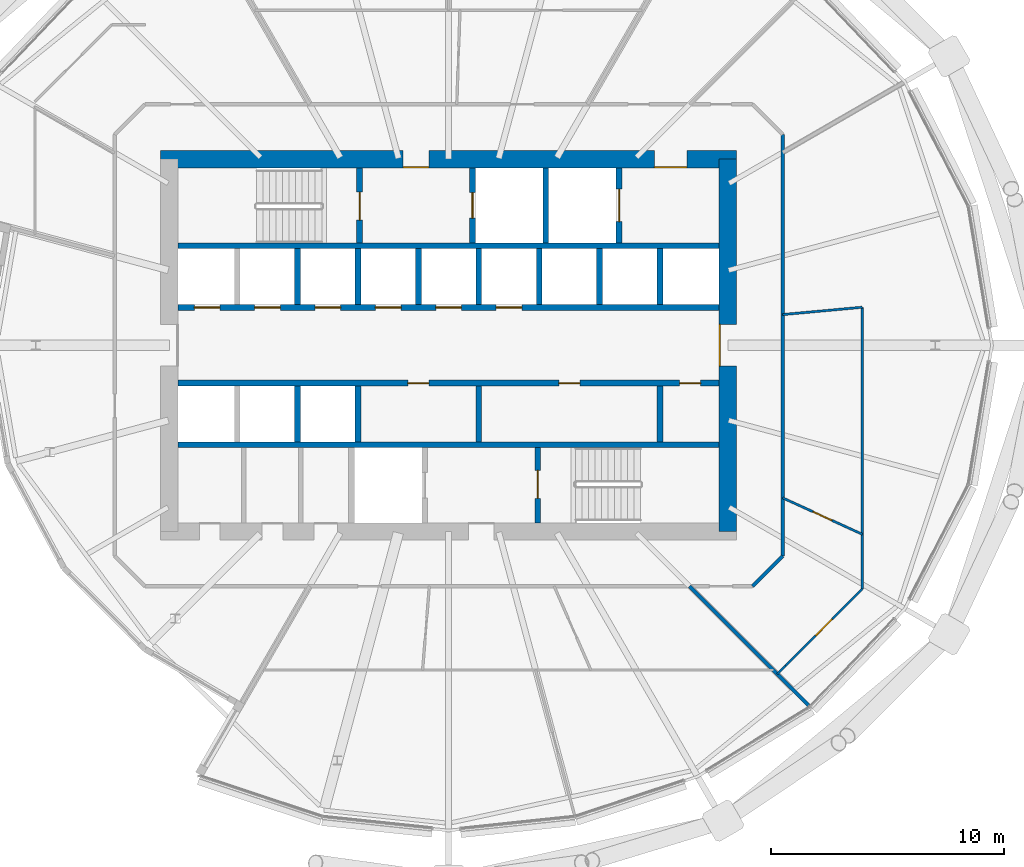
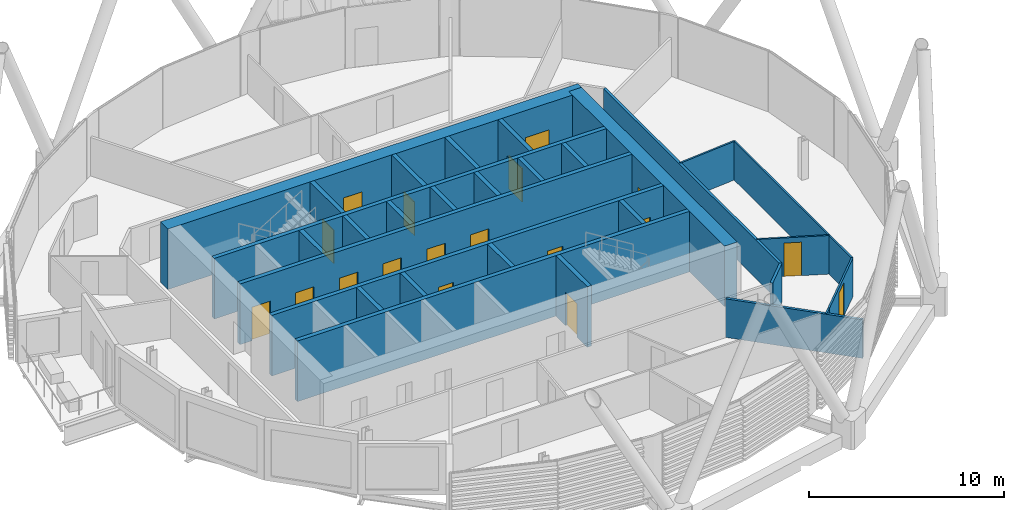
# One storey, part 25 of 38: 30 walls, 18 doors, 18 openings.
"""IFC4 building model written with IfcOpenShell, lengths in metres."""

from ifc_helpers import new_model, si_unit, direction, frame, frame_2d, origin, place, context, subcontext, project, spatial, rectangle, extrude, material, layer, layer_set, type_object, element, fill, save


model = new_model("IFC4")

# Units and contexts
model_context = context("Model", 3, precision=1e-05, world=origin(), true_north=direction((0.0, 1.0)))
body_context = subcontext(model_context, "Body", "Model", "MODEL_VIEW")
ifc_project = project(units=[si_unit("LENGTHUNIT", "METRE"), si_unit("AREAUNIT", "SQUARE_METRE"), si_unit("VOLUMEUNIT", "CUBIC_METRE"), si_unit("PLANEANGLEUNIT", "RADIAN"), si_unit("MASSUNIT", "GRAM", prefix="KILO")], contexts=[model_context])

# Site, building, storey
site_placement = place(None, origin())
site = spatial("IfcSite", under=ifc_project, at=site_placement, CompositionType="ELEMENT")
building_placement = place(site_placement, origin())
building = spatial("IfcBuilding", under=site, at=building_placement, Name="Rimbun Link Towers", CompositionType="ELEMENT")
storey_placement = place(building_placement, frame((0.0, 0.0, 104.39990234375)))
storey = spatial("IfcBuildingStorey", under=building, at=storey_placement, Name="L25", CompositionType="ELEMENT", Elevation=104.39990234375)

# Wall, openings, doors
ifc_material_1 = material(Name="Concrete C60/75", Category="concrete")
ifc_layer_1 = layer(ifc_material_1, 0.75)
ifc_layer_set_1 = layer_set([ifc_layer_1], Name="Core shear wall 750")
wall_type_1 = type_object("IfcWallType", Name="Core shear wall 750", PredefinedType="SHEAR", material=ifc_layer_set_1)
wall_1_placement = place(storey_placement, frame((-44.125, 8.0, 0.0), z_axis=(0.0, 0.0, 1.0), x_axis=(1.0, 0.0, 0.0)))
wall_1 = element("IfcWall", 1, at=wall_1_placement, inside=storey, type_object=wall_type_1, Name="L25 T1 core wall N", PredefinedType="SHEAR", context=body_context, shape_type="SweptSolid", body=[
    extrude(rectangle(XDim=24.75, YDim=0.75, at=frame_2d((12.375, 0.0))), origin(), (0.0, 0.0, 1.0), 3.800048828125),
])
opening_1_placement = place(wall_1_placement, frame((10.425048828125, 0.0, 0.0)))
opening_1 = element("IfcOpeningElement", 2, at=opening_1_placement, cuts=wall_1, Name="Opening C1DCF01N", PredefinedType="OPENING", context=body_context, shape_type="SweptSolid", body=[
    extrude(rectangle(XDim=1.10009765625, YDim=2.10009765625, at=frame_2d((0.550048828125, 1.050048828125))), frame((0.0, 0.385009765625, 0.0), z_axis=(0.0, -1.0, 0.0), x_axis=(1.0, 0.0, 0.0)), (0.0, 0.0, 1.0), 0.77001953125),
])
opening_2_placement = place(wall_1_placement, frame((21.21240234375, 0.0, 0.0)))
opening_2 = element("IfcOpeningElement", 3, at=opening_2_placement, cuts=wall_1, Name="Opening C1DSL02N", PredefinedType="OPENING", context=body_context, shape_type="SweptSolid", body=[
    extrude(rectangle(XDim=1.39990234375, YDim=2.10009765625, at=frame_2d((0.699951171875, 1.050048828125))), frame((0.0, 0.385009765625, 0.0), z_axis=(0.0, -1.0, 0.0), x_axis=(1.0, 0.0, 0.0)), (0.0, 0.0, 1.0), 0.77001953125),
])
ifc_material_2 = material(Name="Steel fire door set", Category="steel")
door_type_1 = type_object("IfcDoorType", Name="Core fire door single", OperationType="SINGLE_SWING_LEFT", PredefinedType="DOOR", material=ifc_material_2)
door_1_placement = place(opening_1_placement, origin())
door_1 = element("IfcDoor", 4, at=door_1_placement, inside=storey, type_object=door_type_1, Name="L25 T1 firefighting lobby n door", OperationType="SINGLE_SWING_RIGHT", OverallHeight=2.10009765625, OverallWidth=1.10009765625, PredefinedType="DOOR", context=body_context, shape_type="SweptSolid", body=[
    extrude(rectangle(XDim=1.10009765625, YDim=2.10009765625, at=frame_2d((0.550048828125, 1.050048828125))), frame((0.0, -0.3251953125, 0.0), z_axis=(0.0, -1.0, 0.0), x_axis=(1.0, 0.0, 0.0)), (0.0, 0.0, 1.0), 0.050048828125),
])
fill(opening_1, door_1)
ifc_material_3 = material(Name="Steel fire door set", Category="steel")
door_type_2 = type_object("IfcDoorType", Name="Service lobby door double", OperationType="DOUBLE_DOOR_SINGLE_SWING", PredefinedType="DOOR", material=ifc_material_3)
door_2_placement = place(opening_2_placement, origin())
door_2 = element("IfcDoor", 5, at=door_2_placement, inside=storey, type_object=door_type_2, Name="L25 T1 service lobby door", OperationType="DOUBLE_DOOR_SINGLE_SWING", OverallHeight=2.10009765625, OverallWidth=1.39990234375, PredefinedType="DOOR", context=body_context, shape_type="SweptSolid", body=[
    extrude(rectangle(XDim=1.39990234375, YDim=2.10009765625, at=frame_2d((0.699951171875, 1.050048828125))), frame((0.0, -0.3251953125, 0.0), z_axis=(0.0, -1.0, 0.0), x_axis=(1.0, 0.0, 0.0)), (0.0, 0.0, 1.0), 0.050048828125),
])
fill(opening_2, door_2)

# Wall, opening, door
wall_2_placement = place(storey_placement, frame((-19.75, -8.0, 0.0), z_axis=(0.0, 0.0, 1.0), x_axis=(0.0, 1.0, 0.0)))
wall_2 = element("IfcWall", 6, at=wall_2_placement, inside=storey, type_object=wall_type_1, Name="L25 T1 core wall E", PredefinedType="SHEAR", context=body_context, shape_type="SweptSolid", body=[
    extrude(rectangle(XDim=16.0, YDim=0.75, at=frame_2d((8.0, 0.0))), origin(), (0.0, 0.0, 1.0), 3.800048828125),
])
opening_3_placement = place(wall_2_placement, frame((7.10009765625, 0.0, 0.0)))
opening_3 = element("IfcOpeningElement", 7, at=opening_3_placement, cuts=wall_2, Name="Opening C1DCL01E", PredefinedType="OPENING", context=body_context, shape_type="SweptSolid", body=[
    extrude(rectangle(XDim=1.800048828125, YDim=2.10009765625, at=frame_2d((0.89990234375, 1.050048828125))), frame((0.0, 0.385009765625, 0.0), z_axis=(0.0, -1.0, 0.0), x_axis=(1.0, 0.0, 0.0)), (0.0, 0.0, 1.0), 0.77001953125),
])
ifc_material_4 = material(Name="Steel fire door set", Category="steel")
door_type_3 = type_object("IfcDoorType", Name="Core lobby door double", OperationType="DOUBLE_DOOR_SINGLE_SWING", PredefinedType="DOOR", material=ifc_material_4)
door_3_placement = place(opening_3_placement, origin())
door_3 = element("IfcDoor", 8, at=door_3_placement, inside=storey, type_object=door_type_3, Name="L25 T1 lift lobby door", OperationType="DOUBLE_DOOR_SINGLE_SWING", OverallHeight=2.10009765625, OverallWidth=1.800048828125, PredefinedType="DOOR", context=body_context, shape_type="SweptSolid", body=[
    extrude(rectangle(XDim=1.800048828125, YDim=2.10009765625, at=frame_2d((0.89990234375, 1.050048828125))), frame((0.0, 0.375, 0.0), z_axis=(0.0, -1.0, 0.0), x_axis=(1.0, 0.0, 0.0)), (0.0, 0.0, 1.0), 0.050048828125),
])
fill(opening_3, door_3)

# Walls
ifc_material_5 = material(Name="Plasterboard on steel stud, mineral wool", Category="steel")
ifc_layer_2 = layer(ifc_material_5, 0.14990234375)
ifc_layer_set_2 = layer_set([ifc_layer_2], Name="Corridor wall EI 30 150 mm")
wall_type_2 = type_object("IfcWallType", Name="Corridor wall EI 30 150 mm", PredefinedType="PARTITIONING", material=ifc_layer_set_2)
wall_3_placement = place(storey_placement, frame((-17.39990234375, -9.0517578125, 0.0), z_axis=(0.0, 0.0, 1.0), x_axis=(0.0, 1.0, 0.0)))
element("IfcWall", 9, at=wall_3_placement, inside=storey, type_object=wall_type_2, Name="Corridor wall EI 30 150 mm", PredefinedType="PARTITIONING", context=body_context, shape_type="SweptSolid", body=[
    extrude(rectangle(XDim=18.103515625, YDim=0.14990234375, at=frame_2d((9.0517578125, 0.0))), origin(), (0.0, 0.0, 1.0), 2.420166015625),
])
wall_4_placement = place(storey_placement, frame((-18.6982421875, -10.35009765625, 0.0), z_axis=(0.0, 0.0, 1.0), x_axis=(0.707106781187, 0.707106781187, 0.0)))
element("IfcWall", 10, at=wall_4_placement, inside=storey, type_object=wall_type_2, Name="Corridor wall EI 30 150 mm", PredefinedType="PARTITIONING", context=body_context, shape_type="SweptSolid", body=[
    extrude(rectangle(XDim=1.836181640625, YDim=0.14990234375, at=frame_2d((0.91796875, 0.0))), origin(), (0.0, 0.0, 1.0), 2.420166015625),
])

# Wall, opening, door
ifc_material_6 = material(Name="Plasterboard on steel stud", Category="steel")
ifc_layer_3 = layer(ifc_material_6, 0.10009765625)
ifc_layer_set_3 = layer_set([ifc_layer_3], Name="Plasterboard partition 100 mm")
wall_type_3 = type_object("IfcWallType", Name="Plasterboard partition 100 mm", PredefinedType="PARTITIONING", material=ifc_layer_set_3)
wall_5_placement = place(storey_placement, frame((-17.39990234375, -6.555908203125, 0.0), z_axis=(0.0, 0.0, 1.0), x_axis=(0.909564245238, -0.415563333061, 0.0)))
wall_5 = element("IfcWall", 11, at=wall_5_placement, inside=storey, type_object=wall_type_3, Name="Plasterboard partition 100 mm", PredefinedType="PARTITIONING", context=body_context, shape_type="SweptSolid", body=[
    extrude(rectangle(XDim=3.760009765625, YDim=0.10009765625, at=frame_2d((1.8798828125, 0.0))), origin(), (0.0, 0.0, 1.0), 2.420166015625),
])
opening_4_placement = place(wall_5_placement, frame((1.429931640625, 0.0, 0.0)))
opening_4 = element("IfcOpeningElement", 12, at=opening_4_placement, cuts=wall_5, Name="Opening D04", PredefinedType="OPENING", context=body_context, shape_type="SweptSolid", body=[
    extrude(rectangle(XDim=0.89990234375, YDim=2.10009765625, at=frame_2d((0.449951171875, 1.050048828125))), frame((0.0, 0.06005859375, 0.0), z_axis=(0.0, -1.0, 0.0), x_axis=(1.0, 0.0, 0.0)), (0.0, 0.0, 1.0), 0.1201171875),
])
ifc_material_7 = material(Name="Timber door leaf", Category="wood")
door_type_4 = type_object("IfcDoorType", Name="Flush door 900", OperationType="NOTDEFINED", PredefinedType="DOOR", material=ifc_material_7)
door_4_placement = place(opening_4_placement, origin())
door_4 = element("IfcDoor", 13, at=door_4_placement, inside=storey, type_object=door_type_4, Name="Flush door 900 to Meeting room", OperationType="SINGLE_SWING_LEFT", OverallHeight=2.10009765625, OverallWidth=0.89990234375, PredefinedType="DOOR", context=body_context, shape_type="SweptSolid", body=[
    extrude(rectangle(XDim=0.89990234375, YDim=2.10009765625, at=frame_2d((0.449951171875, 1.050048828125))), frame((0.0, 0.02490234375, 0.0), z_axis=(0.0, -1.0, 0.0), x_axis=(1.0, 0.0, 0.0)), (0.0, 0.0, 1.0), 0.050048828125),
])
fill(opening_4, door_4)

wall_6_placement = place(storey_placement, frame((-13.97998046875, -10.46826171875, 0.0), z_axis=(0.0, 0.0, 1.0), x_axis=(-0.707106781187, -0.707106781187, 0.0)))
wall_6 = element("IfcWall", 14, at=wall_6_placement, inside=storey, type_object=wall_type_3, Name="Plasterboard partition 100 mm", PredefinedType="PARTITIONING", context=body_context, shape_type="SweptSolid", body=[
    extrude(rectangle(XDim=4.66943359375, YDim=0.10009765625, at=frame_2d((2.334716796875, 0.0))), origin(), (0.0, 0.0, 1.0), 2.420166015625),
])
opening_5_placement = place(wall_6_placement, frame((1.834716796875, 0.0, 0.0)))
opening_5 = element("IfcOpeningElement", 15, at=opening_5_placement, cuts=wall_6, Name="Opening D03", PredefinedType="OPENING", context=body_context, shape_type="SweptSolid", body=[
    extrude(rectangle(XDim=1.0, YDim=2.10009765625, at=frame_2d((0.5, 1.050048828125))), frame((0.0, 0.06005859375, 0.0), z_axis=(0.0, -1.0, 0.0), x_axis=(1.0, 0.0, 0.0)), (0.0, 0.0, 1.0), 0.1201171875),
])
ifc_material_8 = material(Name="Timber door leaf", Category="wood")
door_type_5 = type_object("IfcDoorType", Name="Flush door 1000", OperationType="NOTDEFINED", PredefinedType="DOOR", material=ifc_material_8)
door_5_placement = place(opening_5_placement, origin())
door_5 = element("IfcDoor", 16, at=door_5_placement, inside=storey, type_object=door_type_5, Name="Flush door 1000 to Open office", OperationType="SINGLE_SWING_RIGHT", OverallHeight=2.10009765625, OverallWidth=1.0, PredefinedType="DOOR", context=body_context, shape_type="SweptSolid", body=[
    extrude(rectangle(XDim=1.0, YDim=2.10009765625, at=frame_2d((0.5, 1.050048828125))), frame((0.0, 0.02490234375, 0.0), z_axis=(0.0, -1.0, 0.0), x_axis=(1.0, 0.0, 0.0)), (0.0, 0.0, 1.0), 0.050048828125),
])
fill(opening_5, door_5)

# Walls
wall_7_placement = place(storey_placement, frame((-13.97998046875, -10.46826171875, 0.0), z_axis=(0.0, 0.0, 1.0), x_axis=(0.0, 1.0, 0.0)))
element("IfcWall", 17, at=wall_7_placement, inside=storey, type_object=wall_type_3, Name="Plasterboard partition 100 mm", PredefinedType="PARTITIONING", context=body_context, shape_type="SweptSolid", body=[
    extrude(rectangle(XDim=12.101806640625, YDim=0.10009765625, at=frame_2d((6.05078125, 0.0))), origin(), (0.0, 0.0, 1.0), 2.420166015625),
])
wall_8_placement = place(storey_placement, frame((-17.630859375, -14.119140625, 0.0), z_axis=(0.0, 0.0, 1.0), x_axis=(0.707106781187, 0.707106781187, 0.0)))
element("IfcWall", 18, at=wall_8_placement, inside=storey, type_object=wall_type_3, Name="Plasterboard partition 100 mm", PredefinedType="PARTITIONING", context=body_context, shape_type="SweptSolid", body=[
    extrude(rectangle(XDim=0.49365234375, YDim=0.10009765625, at=frame_2d((0.246826171875, 0.0))), origin(), (0.0, 0.0, 1.0), 2.420166015625),
])
wall_9_placement = place(storey_placement, frame((-13.97998046875, 1.633544921875, 0.0), z_axis=(0.0, 0.0, 1.0), x_axis=(-0.995799448396, -0.09156122855, 0.0)))
element("IfcWall", 19, at=wall_9_placement, inside=storey, type_object=wall_type_3, Name="Plasterboard partition 100 mm", PredefinedType="PARTITIONING", context=body_context, shape_type="SweptSolid", body=[
    extrude(rectangle(XDim=3.434326171875, YDim=0.10009765625, at=frame_2d((1.71728515625, 0.0))), origin(), (0.0, 0.0, 1.0), 2.420166015625),
])
ifc_material_9 = material(Name="Concrete C60/75", Category="concrete")
ifc_layer_4 = layer(ifc_material_9, 0.25)
ifc_layer_set_4 = layer_set([ifc_layer_4], Name="Shaft wall 250")
wall_type_4 = type_object("IfcWallType", Name="Shaft wall 250", PredefinedType="SHEAR", material=ifc_layer_set_4)
for number, where, z_axis, x_axis, name in (
    (20, (-43.375, 4.27490234375, 0.0), (0.0, 0.0, 1.0), (1.0, 0.0, 0.0), "L25 T1 core wall BN"),
    (21, (-43.375, -4.27490234375, 0.0), (0.0, 0.0, 1.0), (1.0, 0.0, 0.0), "L25 T1 core wall BS"),
):
    element("IfcWall", number, at=place(storey_placement, frame(where, z_axis=z_axis, x_axis=x_axis)), inside=storey, type_object=wall_type_4, Name=name, PredefinedType="SHEAR", context=body_context, shape_type="SweptSolid", body=[
        extrude(rectangle(XDim=23.25, YDim=0.25, at=frame_2d((11.625, 0.0))), origin(), (0.0, 0.0, 1.0), 3.800048828125),
    ])

# Wall, openings, doors
wall_10_placement = place(storey_placement, frame((-43.375, 1.625, 0.0), z_axis=(0.0, 0.0, 1.0), x_axis=(1.0, 0.0, 0.0)))
wall_10 = element("IfcWall", 22, at=wall_10_placement, inside=storey, type_object=wall_type_4, Name="L25 T1 core wall FN", PredefinedType="SHEAR", context=body_context, shape_type="SweptSolid", body=[
    extrude(rectangle(XDim=23.25, YDim=0.25, at=frame_2d((11.625, 0.0))), origin(), (0.0, 0.0, 1.0), 3.800048828125),
])
opening_6_placement = place(wall_10_placement, frame((0.697265625, 0.0, 0.0)))
opening_6 = element("IfcOpeningElement", 23, at=opening_6_placement, cuts=wall_10, Name="Opening LD-T1-LR1", PredefinedType="OPENING", context=body_context, shape_type="SweptSolid", body=[
    extrude(rectangle(XDim=1.10009765625, YDim=2.10009765625, at=frame_2d((0.550048828125, 1.050048828125))), frame((0.0, 0.135009765625, 0.0), z_axis=(0.0, -1.0, 0.0), x_axis=(1.0, 0.0, 0.0)), (0.0, 0.0, 1.0), 0.27001953125),
])
opening_7_placement = place(wall_10_placement, frame((3.291748046875, 0.0, 0.0)))
opening_7 = element("IfcOpeningElement", 24, at=opening_7_placement, cuts=wall_10, Name="Opening LD-T1-LR2", PredefinedType="OPENING", context=body_context, shape_type="SweptSolid", body=[
    extrude(rectangle(XDim=1.10009765625, YDim=2.10009765625, at=frame_2d((0.550048828125, 1.050048828125))), frame((0.0, 0.135009765625, 0.0), z_axis=(0.0, -1.0, 0.0), x_axis=(1.0, 0.0, 0.0)), (0.0, 0.0, 1.0), 0.27001953125),
])
opening_8_placement = place(wall_10_placement, frame((5.885986328125, 0.0, 0.0)))
opening_8 = element("IfcOpeningElement", 25, at=opening_8_placement, cuts=wall_10, Name="Opening LD-T1-LR3", PredefinedType="OPENING", context=body_context, shape_type="SweptSolid", body=[
    extrude(rectangle(XDim=1.10009765625, YDim=2.10009765625, at=frame_2d((0.550048828125, 1.050048828125))), frame((0.0, 0.135009765625, 0.0), z_axis=(0.0, -1.0, 0.0), x_axis=(1.0, 0.0, 0.0)), (0.0, 0.0, 1.0), 0.27001953125),
])
opening_9_placement = place(wall_10_placement, frame((8.480712890625, 0.0, 0.0)))
opening_9 = element("IfcOpeningElement", 26, at=opening_9_placement, cuts=wall_10, Name="Opening LD-T1-LR4", PredefinedType="OPENING", context=body_context, shape_type="SweptSolid", body=[
    extrude(rectangle(XDim=1.10009765625, YDim=2.10009765625, at=frame_2d((0.550048828125, 1.050048828125))), frame((0.0, 0.135009765625, 0.0), z_axis=(0.0, -1.0, 0.0), x_axis=(1.0, 0.0, 0.0)), (0.0, 0.0, 1.0), 0.27001953125),
])
opening_10_placement = place(wall_10_placement, frame((11.074951171875, 0.0, 0.0)))
opening_10 = element("IfcOpeningElement", 27, at=opening_10_placement, cuts=wall_10, Name="Opening LD-T1-LR5", PredefinedType="OPENING", context=body_context, shape_type="SweptSolid", body=[
    extrude(rectangle(XDim=1.10009765625, YDim=2.10009765625, at=frame_2d((0.550048828125, 1.050048828125))), frame((0.0, 0.135009765625, 0.0), z_axis=(0.0, -1.0, 0.0), x_axis=(1.0, 0.0, 0.0)), (0.0, 0.0, 1.0), 0.27001953125),
])
opening_11_placement = place(wall_10_placement, frame((13.66943359375, 0.0, 0.0)))
opening_11 = element("IfcOpeningElement", 28, at=opening_11_placement, cuts=wall_10, Name="Opening LD-T1-LR6", PredefinedType="OPENING", context=body_context, shape_type="SweptSolid", body=[
    extrude(rectangle(XDim=1.10009765625, YDim=2.10009765625, at=frame_2d((0.550048828125, 1.050048828125))), frame((0.0, 0.135009765625, 0.0), z_axis=(0.0, -1.0, 0.0), x_axis=(1.0, 0.0, 0.0)), (0.0, 0.0, 1.0), 0.27001953125),
])
ifc_material_10 = material(Name="Stainless steel grade 316", Category="steel")
door_type_6 = type_object("IfcDoorType", Name="Lift landing door", OperationType="DOUBLE_DOOR_SLIDING", PredefinedType="DOOR", material=ifc_material_10)
door_6_placement = place(opening_6_placement, origin())
door_6 = element("IfcDoor", 29, at=door_6_placement, inside=storey, type_object=door_type_6, Name="L25 T1 lift LR1 landing door", OperationType="DOUBLE_DOOR_SLIDING", OverallHeight=2.10009765625, OverallWidth=1.10009765625, PredefinedType="DOOR", context=body_context, shape_type="SweptSolid", body=[
    extrude(rectangle(XDim=1.10009765625, YDim=2.10009765625, at=frame_2d((0.550048828125, 1.050048828125))), frame((0.0, 0.02490234375, 0.0), z_axis=(0.0, -1.0, 0.0), x_axis=(1.0, 0.0, 0.0)), (0.0, 0.0, 1.0), 0.050048828125),
])
fill(opening_6, door_6)
door_7_placement = place(opening_7_placement, origin())
door_7 = element("IfcDoor", 30, at=door_7_placement, inside=storey, type_object=door_type_6, Name="L25 T1 lift LR2 landing door", OperationType="DOUBLE_DOOR_SLIDING", OverallHeight=2.10009765625, OverallWidth=1.10009765625, PredefinedType="DOOR", context=body_context, shape_type="SweptSolid", body=[
    extrude(rectangle(XDim=1.10009765625, YDim=2.10009765625, at=frame_2d((0.550048828125, 1.050048828125))), frame((0.0, 0.02490234375, 0.0), z_axis=(0.0, -1.0, 0.0), x_axis=(1.0, 0.0, 0.0)), (0.0, 0.0, 1.0), 0.050048828125),
])
fill(opening_7, door_7)
door_8_placement = place(opening_8_placement, origin())
door_8 = element("IfcDoor", 31, at=door_8_placement, inside=storey, type_object=door_type_6, Name="L25 T1 lift LR3 landing door", OperationType="DOUBLE_DOOR_SLIDING", OverallHeight=2.10009765625, OverallWidth=1.10009765625, PredefinedType="DOOR", context=body_context, shape_type="SweptSolid", body=[
    extrude(rectangle(XDim=1.10009765625, YDim=2.10009765625, at=frame_2d((0.550048828125, 1.050048828125))), frame((0.0, 0.02490234375, 0.0), z_axis=(0.0, -1.0, 0.0), x_axis=(1.0, 0.0, 0.0)), (0.0, 0.0, 1.0), 0.050048828125),
])
fill(opening_8, door_8)
door_9_placement = place(opening_9_placement, origin())
door_9 = element("IfcDoor", 32, at=door_9_placement, inside=storey, type_object=door_type_6, Name="L25 T1 lift LR4 landing door", OperationType="DOUBLE_DOOR_SLIDING", OverallHeight=2.10009765625, OverallWidth=1.10009765625, PredefinedType="DOOR", context=body_context, shape_type="SweptSolid", body=[
    extrude(rectangle(XDim=1.10009765625, YDim=2.10009765625, at=frame_2d((0.550048828125, 1.050048828125))), frame((0.0, 0.02490234375, 0.0), z_axis=(0.0, -1.0, 0.0), x_axis=(1.0, 0.0, 0.0)), (0.0, 0.0, 1.0), 0.050048828125),
])
fill(opening_9, door_9)
door_10_placement = place(opening_10_placement, origin())
door_10 = element("IfcDoor", 33, at=door_10_placement, inside=storey, type_object=door_type_6, Name="L25 T1 lift LR5 landing door", OperationType="DOUBLE_DOOR_SLIDING", OverallHeight=2.10009765625, OverallWidth=1.10009765625, PredefinedType="DOOR", context=body_context, shape_type="SweptSolid", body=[
    extrude(rectangle(XDim=1.10009765625, YDim=2.10009765625, at=frame_2d((0.550048828125, 1.050048828125))), frame((0.0, 0.02490234375, 0.0), z_axis=(0.0, -1.0, 0.0), x_axis=(1.0, 0.0, 0.0)), (0.0, 0.0, 1.0), 0.050048828125),
])
fill(opening_10, door_10)
door_11_placement = place(opening_11_placement, origin())
door_11 = element("IfcDoor", 34, at=door_11_placement, inside=storey, type_object=door_type_6, Name="L25 T1 lift LR6 landing door", OperationType="DOUBLE_DOOR_SLIDING", OverallHeight=2.10009765625, OverallWidth=1.10009765625, PredefinedType="DOOR", context=body_context, shape_type="SweptSolid", body=[
    extrude(rectangle(XDim=1.10009765625, YDim=2.10009765625, at=frame_2d((0.550048828125, 1.050048828125))), frame((0.0, 0.02490234375, 0.0), z_axis=(0.0, -1.0, 0.0), x_axis=(1.0, 0.0, 0.0)), (0.0, 0.0, 1.0), 0.050048828125),
])
fill(opening_11, door_11)

wall_11_placement = place(storey_placement, frame((-43.375, -1.625, 0.0), z_axis=(0.0, 0.0, 1.0), x_axis=(1.0, 0.0, 0.0)))
wall_11 = element("IfcWall", 35, at=wall_11_placement, inside=storey, type_object=wall_type_4, Name="L25 T1 core wall FS", PredefinedType="SHEAR", context=body_context, shape_type="SweptSolid", body=[
    extrude(rectangle(XDim=23.25, YDim=0.25, at=frame_2d((11.625, 0.0))), origin(), (0.0, 0.0, 1.0), 3.800048828125),
])
opening_12_placement = place(wall_11_placement, frame((9.877685546875, 0.0, 0.0)))
opening_12 = element("IfcOpeningElement", 36, at=opening_12_placement, cuts=wall_11, Name="Opening C1DRS01FS", PredefinedType="OPENING", context=body_context, shape_type="SweptSolid", body=[
    extrude(rectangle(XDim=0.89990234375, YDim=2.10009765625, at=frame_2d((0.449951171875, 1.050048828125))), frame((0.0, 0.135009765625, 0.0), z_axis=(0.0, -1.0, 0.0), x_axis=(1.0, 0.0, 0.0)), (0.0, 0.0, 1.0), 0.27001953125),
])
opening_13_placement = place(wall_11_placement, frame((16.364013671875, 0.0, 0.0)))
opening_13 = element("IfcOpeningElement", 37, at=opening_13_placement, cuts=wall_11, Name="Opening C1DRS02FS", PredefinedType="OPENING", context=body_context, shape_type="SweptSolid", body=[
    extrude(rectangle(XDim=0.89990234375, YDim=2.10009765625, at=frame_2d((0.449951171875, 1.050048828125))), frame((0.0, 0.135009765625, 0.0), z_axis=(0.0, -1.0, 0.0), x_axis=(1.0, 0.0, 0.0)), (0.0, 0.0, 1.0), 0.27001953125),
])
opening_14_placement = place(wall_11_placement, frame((21.552734375, 0.0, 0.0)))
opening_14 = element("IfcOpeningElement", 38, at=opening_14_placement, cuts=wall_11, Name="Opening C1DRS03FS", PredefinedType="OPENING", context=body_context, shape_type="SweptSolid", body=[
    extrude(rectangle(XDim=0.89990234375, YDim=2.10009765625, at=frame_2d((0.449951171875, 1.050048828125))), frame((0.0, 0.135009765625, 0.0), z_axis=(0.0, -1.0, 0.0), x_axis=(1.0, 0.0, 0.0)), (0.0, 0.0, 1.0), 0.27001953125),
])
ifc_material_11 = material(Name="Steel fire door set", Category="steel")
door_type_7 = type_object("IfcDoorType", Name="Core riser door", OperationType="SINGLE_SWING_LEFT", PredefinedType="DOOR", material=ifc_material_11)
door_12_placement = place(opening_12_placement, origin())
door_12 = element("IfcDoor", 39, at=door_12_placement, inside=storey, type_object=door_type_7, Name="L25 T1 pantry door", OperationType="SINGLE_SWING_LEFT", OverallHeight=2.10009765625, OverallWidth=0.89990234375, PredefinedType="DOOR", context=body_context, shape_type="SweptSolid", body=[
    extrude(rectangle(XDim=0.89990234375, YDim=2.10009765625, at=frame_2d((0.449951171875, 1.050048828125))), frame((0.0, 0.02490234375, 0.0), z_axis=(0.0, -1.0, 0.0), x_axis=(1.0, 0.0, 0.0)), (0.0, 0.0, 1.0), 0.050048828125),
])
fill(opening_12, door_12)
door_13_placement = place(opening_13_placement, origin())
door_13 = element("IfcDoor", 40, at=door_13_placement, inside=storey, type_object=door_type_7, Name="L25 T1 wellness room door", OperationType="SINGLE_SWING_RIGHT", OverallHeight=2.10009765625, OverallWidth=0.89990234375, PredefinedType="DOOR", context=body_context, shape_type="SweptSolid", body=[
    extrude(rectangle(XDim=0.89990234375, YDim=2.10009765625, at=frame_2d((0.449951171875, 1.050048828125))), frame((0.0, 0.02490234375, 0.0), z_axis=(0.0, -1.0, 0.0), x_axis=(1.0, 0.0, 0.0)), (0.0, 0.0, 1.0), 0.050048828125),
])
fill(opening_13, door_13)
door_14_placement = place(opening_14_placement, origin())
door_14 = element("IfcDoor", 41, at=door_14_placement, inside=storey, type_object=door_type_7, Name="L25 T1 staff store door", OperationType="SINGLE_SWING_LEFT", OverallHeight=2.10009765625, OverallWidth=0.89990234375, PredefinedType="DOOR", context=body_context, shape_type="SweptSolid", body=[
    extrude(rectangle(XDim=0.89990234375, YDim=2.10009765625, at=frame_2d((0.449951171875, 1.050048828125))), frame((0.0, 0.02490234375, 0.0), z_axis=(0.0, -1.0, 0.0), x_axis=(1.0, 0.0, 0.0)), (0.0, 0.0, 1.0), 0.050048828125),
])
fill(opening_14, door_14)

# Walls
for number, where, z_axis, x_axis, name in (
    (42, (-38.236083984375, 1.75, 0.0), (0.0, 0.0, 1.0), (0.0, 1.0, 0.0), "L25 T1 core wall DN1"),
    (43, (-35.6416015625, 1.75, 0.0), (0.0, 0.0, 1.0), (0.0, 1.0, 0.0), "L25 T1 core wall DN2"),
    (44, (-33.047119140625, 1.75, 0.0), (0.0, 0.0, 1.0), (0.0, 1.0, 0.0), "L25 T1 core wall DN3"),
    (45, (-30.452880859375, 1.75, 0.0), (0.0, 0.0, 1.0), (0.0, 1.0, 0.0), "L25 T1 core wall DN4"),
    (46, (-27.8583984375, 1.75, 0.0), (0.0, 0.0, 1.0), (0.0, 1.0, 0.0), "L25 T1 core wall DN5"),
    (47, (-25.263916015625, 1.75, 0.0), (0.0, 0.0, 1.0), (0.0, 1.0, 0.0), "L25 T1 core wall DN6"),
    (48, (-22.66943359375, 1.75, 0.0), (0.0, 0.0, 1.0), (0.0, 1.0, 0.0), "L25 T1 core wall DN7"),
    (49, (-38.236083984375, -4.14990234375, 0.0), (0.0, 0.0, 1.0), (0.0, 1.0, 0.0), "L25 T1 core wall DS1"),
    (50, (-35.6416015625, -4.14990234375, 0.0), (0.0, 0.0, 1.0), (0.0, 1.0, 0.0), "L25 T1 core wall DS2"),
    (51, (-30.452880859375, -4.14990234375, 0.0), (0.0, 0.0, 1.0), (0.0, 1.0, 0.0), "L25 T1 core wall DS4"),
    (52, (-22.66943359375, -4.14990234375, 0.0), (0.0, 0.0, 1.0), (0.0, 1.0, 0.0), "L25 T1 core wall DS7"),
):
    element("IfcWall", number, at=place(storey_placement, frame(where, z_axis=z_axis, x_axis=x_axis)), inside=storey, type_object=wall_type_4, Name=name, PredefinedType="SHEAR", context=body_context, shape_type="SweptSolid", body=[
        extrude(rectangle(XDim=2.39990234375, YDim=0.25, at=frame_2d((1.199951171875, 0.0))), origin(), (0.0, 0.0, 1.0), 3.800048828125),
    ])

# Wall, opening, door
wall_12_placement = place(storey_placement, frame((-35.574951171875, 4.39990234375, 0.0), z_axis=(0.0, 0.0, 1.0), x_axis=(0.0, 1.0, 0.0)))
wall_12 = element("IfcWall", 53, at=wall_12_placement, inside=storey, type_object=wall_type_4, Name="L25 T1 core wall A1", PredefinedType="SHEAR", context=body_context, shape_type="SweptSolid", body=[
    extrude(rectangle(XDim=3.22509765625, YDim=0.25, at=frame_2d((1.612548828125, 0.0))), origin(), (0.0, 0.0, 1.0), 3.800048828125),
])
opening_15_placement = place(wall_12_placement, frame((0.97509765625, 0.0, 0.0)))
opening_15 = element("IfcOpeningElement", 54, at=opening_15_placement, cuts=wall_12, Name="Opening C1DST01A1", PredefinedType="OPENING", context=body_context, shape_type="SweptSolid", body=[
    extrude(rectangle(XDim=1.199951171875, YDim=2.10009765625, at=frame_2d((0.60009765625, 1.050048828125))), frame((0.0, 0.135009765625, 0.0), z_axis=(0.0, -1.0, 0.0), x_axis=(1.0, 0.0, 0.0)), (0.0, 0.0, 1.0), 0.27001953125),
])
ifc_material_12 = material(Name="Steel fire door set", Category="steel")
door_type_8 = type_object("IfcDoorType", Name="Stair door", OperationType="SINGLE_SWING_LEFT", PredefinedType="DOOR", material=ifc_material_12)
door_15_placement = place(opening_15_placement, origin())
door_15 = element("IfcDoor", 55, at=door_15_placement, inside=storey, type_object=door_type_8, Name="L25 T1 stair a door", OperationType="SINGLE_SWING_RIGHT", OverallHeight=2.10009765625, OverallWidth=1.199951171875, PredefinedType="DOOR", context=body_context, shape_type="SweptSolid", body=[
    extrude(rectangle(XDim=1.199951171875, YDim=2.10009765625, at=frame_2d((0.60009765625, 1.050048828125))), frame((0.0, 0.02490234375, 0.0), z_axis=(0.0, -1.0, 0.0), x_axis=(1.0, 0.0, 0.0)), (0.0, 0.0, 1.0), 0.050048828125),
])
fill(opening_15, door_15)

wall_13_placement = place(storey_placement, frame((-30.72509765625, 4.39990234375, 0.0), z_axis=(0.0, 0.0, 1.0), x_axis=(0.0, 1.0, 0.0)))
wall_13 = element("IfcWall", 56, at=wall_13_placement, inside=storey, type_object=wall_type_4, Name="L25 T1 core wall A2", PredefinedType="SHEAR", context=body_context, shape_type="SweptSolid", body=[
    extrude(rectangle(XDim=3.22509765625, YDim=0.25, at=frame_2d((1.612548828125, 0.0))), origin(), (0.0, 0.0, 1.0), 3.800048828125),
])
opening_16_placement = place(wall_13_placement, frame((1.0625, 0.0, 0.0)))
opening_16 = element("IfcOpeningElement", 57, at=opening_16_placement, cuts=wall_13, Name="Opening LD-T1-FF1", PredefinedType="OPENING", context=body_context, shape_type="SweptSolid", body=[
    extrude(rectangle(XDim=1.10009765625, YDim=2.10009765625, at=frame_2d((0.550048828125, 1.050048828125))), frame((0.0, 0.135009765625, 0.0), z_axis=(0.0, -1.0, 0.0), x_axis=(1.0, 0.0, 0.0)), (0.0, 0.0, 1.0), 0.27001953125),
])
door_16_placement = place(opening_16_placement, origin())
door_16 = element("IfcDoor", 58, at=door_16_placement, inside=storey, type_object=door_type_6, Name="L25 T1 lift FF1 landing door", OperationType="DOUBLE_DOOR_SLIDING", OverallHeight=2.10009765625, OverallWidth=1.10009765625, PredefinedType="DOOR", context=body_context, shape_type="SweptSolid", body=[
    extrude(rectangle(XDim=1.10009765625, YDim=2.10009765625, at=frame_2d((0.550048828125, 1.050048828125))), frame((0.0, 0.02490234375, 0.0), z_axis=(0.0, -1.0, 0.0), x_axis=(1.0, 0.0, 0.0)), (0.0, 0.0, 1.0), 0.050048828125),
])
fill(opening_16, door_16)

# Wall
wall_14_placement = place(storey_placement, frame((-27.574951171875, 4.39990234375, 0.0), z_axis=(0.0, 0.0, 1.0), x_axis=(0.0, 1.0, 0.0)))
element("IfcWall", 59, at=wall_14_placement, inside=storey, type_object=wall_type_4, Name="L25 T1 core wall A3", PredefinedType="SHEAR", context=body_context, shape_type="SweptSolid", body=[
    extrude(rectangle(XDim=3.22509765625, YDim=0.25, at=frame_2d((1.612548828125, 0.0))), origin(), (0.0, 0.0, 1.0), 3.800048828125),
])

# Wall, opening, door
wall_15_placement = place(storey_placement, frame((-24.425048828125, 4.39990234375, 0.0), z_axis=(0.0, 0.0, 1.0), x_axis=(0.0, 1.0, 0.0)))
wall_15 = element("IfcWall", 60, at=wall_15_placement, inside=storey, type_object=wall_type_4, Name="L25 T1 core wall A4", PredefinedType="SHEAR", context=body_context, shape_type="SweptSolid", body=[
    extrude(rectangle(XDim=3.22509765625, YDim=0.25, at=frame_2d((1.612548828125, 0.0))), origin(), (0.0, 0.0, 1.0), 3.800048828125),
])
opening_17_placement = place(wall_15_placement, frame((0.91259765625, 0.0, 0.0)))
opening_17 = element("IfcOpeningElement", 61, at=opening_17_placement, cuts=wall_15, Name="Opening LD-T1-GL1", PredefinedType="OPENING", context=body_context, shape_type="SweptSolid", body=[
    extrude(rectangle(XDim=1.39990234375, YDim=2.10009765625, at=frame_2d((0.699951171875, 1.050048828125))), frame((0.0, 0.135009765625, 0.0), z_axis=(0.0, -1.0, 0.0), x_axis=(1.0, 0.0, 0.0)), (0.0, 0.0, 1.0), 0.27001953125),
])
ifc_material_13 = material(Name="Stainless steel grade 316", Category="steel")
door_type_9 = type_object("IfcDoorType", Name="Goods lift landing door", OperationType="DOUBLE_DOOR_SLIDING", PredefinedType="DOOR", material=ifc_material_13)
door_17_placement = place(opening_17_placement, origin())
door_17 = element("IfcDoor", 62, at=door_17_placement, inside=storey, type_object=door_type_9, Name="L25 T1 lift GL1 landing door", OperationType="DOUBLE_DOOR_SLIDING", OverallHeight=2.10009765625, OverallWidth=1.39990234375, PredefinedType="DOOR", context=body_context, shape_type="SweptSolid", body=[
    extrude(rectangle(XDim=1.39990234375, YDim=2.10009765625, at=frame_2d((0.699951171875, 1.050048828125))), frame((0.0, 0.02490234375, 0.0), z_axis=(0.0, -1.0, 0.0), x_axis=(1.0, 0.0, 0.0)), (0.0, 0.0, 1.0), 0.050048828125),
])
fill(opening_17, door_17)

wall_16_placement = place(storey_placement, frame((-27.925048828125, -4.39990234375, 0.0), z_axis=(0.0, 0.0, 1.0), x_axis=(0.0, -1.0, 0.0)))
wall_16 = element("IfcWall", 63, at=wall_16_placement, inside=storey, type_object=wall_type_4, Name="L25 T1 core wall B1", PredefinedType="SHEAR", context=body_context, shape_type="SweptSolid", body=[
    extrude(rectangle(XDim=3.22509765625, YDim=0.25, at=frame_2d((1.612548828125, 0.0))), origin(), (0.0, 0.0, 1.0), 3.800048828125),
])
opening_18_placement = place(wall_16_placement, frame((0.97509765625, 0.0, 0.0)))
opening_18 = element("IfcOpeningElement", 64, at=opening_18_placement, cuts=wall_16, Name="Opening C1DST01B1", PredefinedType="OPENING", context=body_context, shape_type="SweptSolid", body=[
    extrude(rectangle(XDim=1.199951171875, YDim=2.10009765625, at=frame_2d((0.60009765625, 1.050048828125))), frame((0.0, 0.135009765625, 0.0), z_axis=(0.0, -1.0, 0.0), x_axis=(1.0, 0.0, 0.0)), (0.0, 0.0, 1.0), 0.27001953125),
])
door_18_placement = place(opening_18_placement, origin())
door_18 = element("IfcDoor", 65, at=door_18_placement, inside=storey, type_object=door_type_8, Name="L25 T1 stair b door", OperationType="SINGLE_SWING_LEFT", OverallHeight=2.10009765625, OverallWidth=1.199951171875, PredefinedType="DOOR", context=body_context, shape_type="SweptSolid", body=[
    extrude(rectangle(XDim=1.199951171875, YDim=2.10009765625, at=frame_2d((0.60009765625, 1.050048828125))), frame((0.0, 0.02490234375, 0.0), z_axis=(0.0, -1.0, 0.0), x_axis=(1.0, 0.0, 0.0)), (0.0, 0.0, 1.0), 0.050048828125),
])
fill(opening_18, door_18)

# Wall
ifc_material_14 = material(Name="Plasterboard on steel stud, mineral wool", Category="steel")
ifc_layer_5 = layer(ifc_material_14, 0.14990234375)
ifc_layer_set_5 = layer_set([ifc_layer_5], Name="Tenancy separation wall EI 60 150 mm")
wall_type_5 = type_object("IfcWallType", Name="Tenancy separation wall EI 60 150 mm", PredefinedType="PARTITIONING", material=ifc_layer_set_5)
wall_17_placement = place(storey_placement, frame((-21.39990234375, -10.35009765625, 0.0), z_axis=(0.0, 0.0, 1.0), x_axis=(0.707106781187, -0.707106781187, 0.0)))
element("IfcWall", 66, at=wall_17_placement, inside=storey, type_object=wall_type_5, Name="Tenancy separation wall EI 60 150 mm", PredefinedType="PARTITIONING", context=body_context, shape_type="SweptSolid", body=[
    extrude(rectangle(XDim=7.29248046875, YDim=0.14990234375, at=frame_2d((3.646240234375, 0.0))), origin(), (0.0, 0.0, 1.0), 2.420166015625),
])

save(model, "model.ifc")
